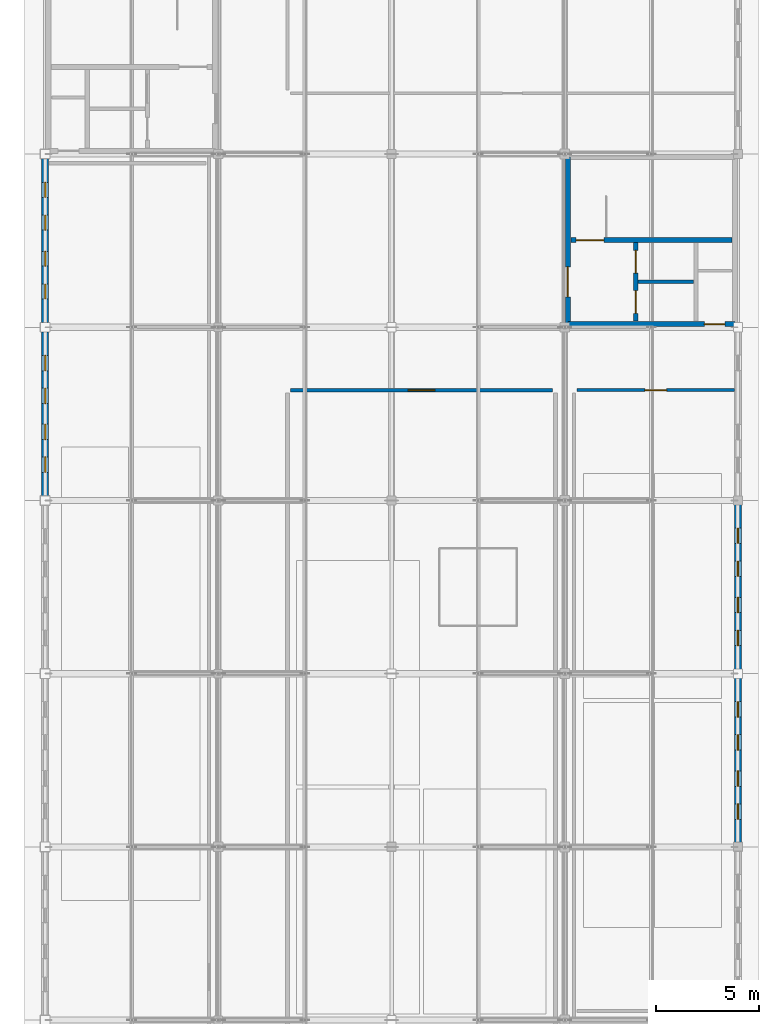
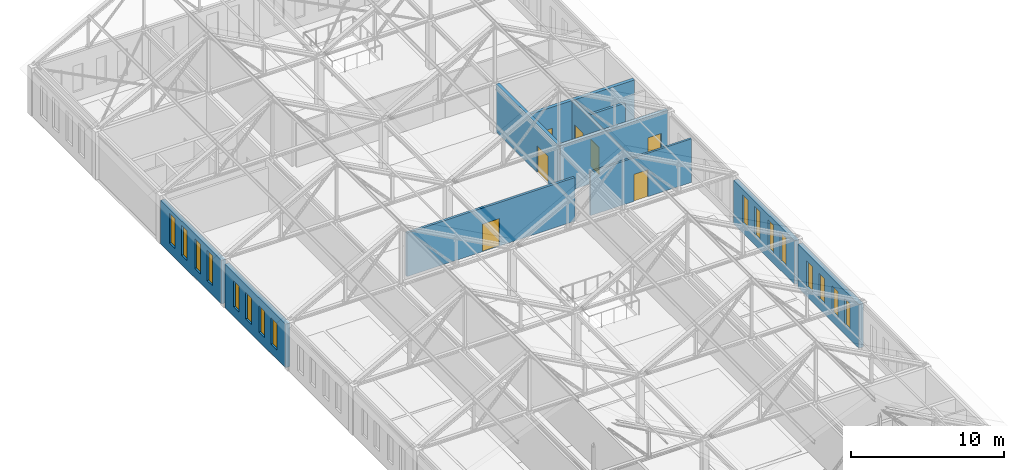
# One storey, part 33 of 36: 16 windows, 11 walls, 7 doors, 23 openings.
"""IFC4 building model written with IfcOpenShell, lengths in metres."""

from ifc_helpers import new_model, si_unit, direction, frame, frame_2d, origin, place, context, subcontext, project, spatial, rectangle, extrude, material, layer, layer_set, type_object, element, fill, save


model = new_model("IFC4")

# Units and contexts
model_context = context("Model", 3, precision=1e-05, world=origin(), true_north=direction((0.0, 1.0)))
body_context = subcontext(model_context, "Body", "Model", "MODEL_VIEW")
ifc_project = project(units=[si_unit("LENGTHUNIT", "METRE"), si_unit("AREAUNIT", "SQUARE_METRE"), si_unit("VOLUMEUNIT", "CUBIC_METRE"), si_unit("PLANEANGLEUNIT", "RADIAN"), si_unit("MASSUNIT", "GRAM", prefix="KILO")], contexts=[model_context])

# Site, building, storey
site_placement = place(None, origin())
site = spatial("IfcSite", under=ifc_project, at=site_placement, CompositionType="ELEMENT")
building_placement = place(site_placement, origin())
building = spatial("IfcBuilding", under=site, at=building_placement, Name="Kveldsbrygga Polytechnic", CompositionType="ELEMENT")
storey_placement = place(building_placement, frame((0.0, 0.0, 26.179931640625)))
storey = spatial("IfcBuildingStorey", under=building, at=storey_placement, Name="L06", CompositionType="ELEMENT", Elevation=26.179931640625)

# Wall, openings, windows
ifc_material_1 = material(Name="Fired clay brick masonry M10", Category="masonry")
ifc_layer_1 = layer(ifc_material_1, 0.340087890625)
ifc_layer_set_1 = layer_set([ifc_layer_1], Name="Fired clay brick masonry M10")
wall_type_1 = type_object("IfcWallType", Name="EW-BRICK-340", PredefinedType="SOLIDWALL", material=ifc_layer_set_1)
wall_1_placement = place(storey_placement, frame((126.0, 67.425048828125, 0.0), z_axis=(0.0, 0.0, 1.0), x_axis=(0.0, 1.0, 0.0)))
wall_1 = element("IfcWall", 1, at=wall_1_placement, inside=storey, type_object=wall_type_1, Name="Exterior Brick Wall EW-L06-Y-15-08", PredefinedType="SOLIDWALL", context=body_context, shape_type="SweptSolid", body=[
    extrude(rectangle(XDim=7.949951171875, YDim=0.340087890625, at=frame_2d((3.97509765625, 0.0))), origin(), (0.0, 0.0, 1.0), 3.47998046875),
])
opening_1_placement = place(wall_1_placement, frame((1.135498046875, 0.0, 0.75)))
opening_1 = element("IfcOpeningElement", 2, at=opening_1_placement, cuts=wall_1, Name="Opening W-27", PredefinedType="OPENING", context=body_context, shape_type="SweptSolid", body=[
    extrude(rectangle(XDim=0.75, YDim=2.10009765625, at=frame_2d((0.375, 1.050048828125))), frame((0.0, 0.18017578125, 0.0), z_axis=(0.0, -1.0, 0.0), x_axis=(1.0, 0.0, 0.0)), (0.0, 0.0, 1.0), 0.360107421875),
])
opening_2_placement = place(wall_1_placement, frame((2.7255859375, 0.0, 0.75)))
opening_2 = element("IfcOpeningElement", 3, at=opening_2_placement, cuts=wall_1, Name="Opening W-27", PredefinedType="OPENING", context=body_context, shape_type="SweptSolid", body=[
    extrude(rectangle(XDim=0.75, YDim=2.10009765625, at=frame_2d((0.375, 1.050048828125))), frame((0.0, 0.18017578125, 0.0), z_axis=(0.0, -1.0, 0.0), x_axis=(1.0, 0.0, 0.0)), (0.0, 0.0, 1.0), 0.360107421875),
])
opening_3_placement = place(wall_1_placement, frame((4.474609375, 0.0, 0.75)))
opening_3 = element("IfcOpeningElement", 4, at=opening_3_placement, cuts=wall_1, Name="Opening W-27", PredefinedType="OPENING", context=body_context, shape_type="SweptSolid", body=[
    extrude(rectangle(XDim=0.75, YDim=2.10009765625, at=frame_2d((0.375, 1.050048828125))), frame((0.0, 0.18017578125, 0.0), z_axis=(0.0, -1.0, 0.0), x_axis=(1.0, 0.0, 0.0)), (0.0, 0.0, 1.0), 0.360107421875),
])
opening_4_placement = place(wall_1_placement, frame((6.064453125, 0.0, 0.75)))
opening_4 = element("IfcOpeningElement", 5, at=opening_4_placement, cuts=wall_1, Name="Opening W-27", PredefinedType="OPENING", context=body_context, shape_type="SweptSolid", body=[
    extrude(rectangle(XDim=0.75, YDim=2.10009765625, at=frame_2d((0.375, 1.050048828125))), frame((0.0, 0.18017578125, 0.0), z_axis=(0.0, -1.0, 0.0), x_axis=(1.0, 0.0, 0.0)), (0.0, 0.0, 1.0), 0.360107421875),
])
ifc_material_2 = material(Name="Insulated triple low-E glass", Category="glass")
window_type_1 = type_object("IfcWindowType", Name="WN-ATTIC-075x210", PartitioningType="DOUBLE_PANEL_VERTICAL", PredefinedType="WINDOW", material=ifc_material_2)
window_1_placement = place(opening_1_placement, origin())
window_1 = element("IfcWindow", 6, at=window_1_placement, inside=storey, type_object=window_type_1, Name="Gothic Lancet Window WIN-L06-Y-15-08-1", OverallHeight=2.10009765625, OverallWidth=0.75, PartitioningType="DOUBLE_PANEL_VERTICAL", PredefinedType="WINDOW", context=body_context, shape_type="SweptSolid", body=[
    extrude(rectangle(XDim=0.75, YDim=2.10009765625, at=frame_2d((0.375, 1.050048828125))), frame((0.0, 0.030029296875, 0.0), z_axis=(0.0, -1.0, 0.0), x_axis=(1.0, 0.0, 0.0)), (0.0, 0.0, 1.0), 0.06005859375),
])
fill(opening_1, window_1)
window_2_placement = place(opening_2_placement, origin())
window_2 = element("IfcWindow", 7, at=window_2_placement, inside=storey, type_object=window_type_1, Name="Gothic Lancet Window WIN-L06-Y-15-08-2", OverallHeight=2.10009765625, OverallWidth=0.75, PartitioningType="DOUBLE_PANEL_VERTICAL", PredefinedType="WINDOW", context=body_context, shape_type="SweptSolid", body=[
    extrude(rectangle(XDim=0.75, YDim=2.10009765625, at=frame_2d((0.375, 1.050048828125))), frame((0.0, 0.030029296875, 0.0), z_axis=(0.0, -1.0, 0.0), x_axis=(1.0, 0.0, 0.0)), (0.0, 0.0, 1.0), 0.06005859375),
])
fill(opening_2, window_2)
window_3_placement = place(opening_3_placement, origin())
window_3 = element("IfcWindow", 8, at=window_3_placement, inside=storey, type_object=window_type_1, Name="Gothic Lancet Window WIN-L06-Y-15-08-3", OverallHeight=2.10009765625, OverallWidth=0.75, PartitioningType="DOUBLE_PANEL_VERTICAL", PredefinedType="WINDOW", context=body_context, shape_type="SweptSolid", body=[
    extrude(rectangle(XDim=0.75, YDim=2.10009765625, at=frame_2d((0.375, 1.050048828125))), frame((0.0, 0.030029296875, 0.0), z_axis=(0.0, -1.0, 0.0), x_axis=(1.0, 0.0, 0.0)), (0.0, 0.0, 1.0), 0.06005859375),
])
fill(opening_3, window_3)
window_4_placement = place(opening_4_placement, origin())
window_4 = element("IfcWindow", 9, at=window_4_placement, inside=storey, type_object=window_type_1, Name="Gothic Lancet Window WIN-L06-Y-15-08-4", OverallHeight=2.10009765625, OverallWidth=0.75, PartitioningType="DOUBLE_PANEL_VERTICAL", PredefinedType="WINDOW", context=body_context, shape_type="SweptSolid", body=[
    extrude(rectangle(XDim=0.75, YDim=2.10009765625, at=frame_2d((0.375, 1.050048828125))), frame((0.0, 0.030029296875, 0.0), z_axis=(0.0, -1.0, 0.0), x_axis=(1.0, 0.0, 0.0)), (0.0, 0.0, 1.0), 0.06005859375),
])
fill(opening_4, window_4)

wall_2_placement = place(storey_placement, frame((126.0, 75.824951171875, 0.0), z_axis=(0.0, 0.0, 1.0), x_axis=(0.0, 1.0, 0.0)))
wall_2 = element("IfcWall", 10, at=wall_2_placement, inside=storey, type_object=wall_type_1, Name="Exterior Brick Wall EW-L06-Y-15-09", PredefinedType="SOLIDWALL", context=body_context, shape_type="SweptSolid", body=[
    extrude(rectangle(XDim=7.949951171875, YDim=0.340087890625, at=frame_2d((3.97509765625, 0.0))), origin(), (0.0, 0.0, 1.0), 3.47998046875),
])
opening_5_placement = place(wall_2_placement, frame((1.150390625, 0.0, 0.75)))
opening_5 = element("IfcOpeningElement", 11, at=opening_5_placement, cuts=wall_2, Name="Opening W-02", PredefinedType="OPENING", context=body_context, shape_type="SweptSolid", body=[
    extrude(rectangle(XDim=0.719970703125, YDim=2.39990234375, at=frame_2d((0.35986328125, 1.199951171875))), frame((0.0, 0.18017578125, 0.0), z_axis=(0.0, -1.0, 0.0), x_axis=(1.0, 0.0, 0.0)), (0.0, 0.0, 1.0), 0.360107421875),
])
opening_6_placement = place(wall_2_placement, frame((2.740478515625, 0.0, 0.75)))
opening_6 = element("IfcOpeningElement", 12, at=opening_6_placement, cuts=wall_2, Name="Opening W-02", PredefinedType="OPENING", context=body_context, shape_type="SweptSolid", body=[
    extrude(rectangle(XDim=0.719970703125, YDim=2.39990234375, at=frame_2d((0.35986328125, 1.199951171875))), frame((0.0, 0.18017578125, 0.0), z_axis=(0.0, -1.0, 0.0), x_axis=(1.0, 0.0, 0.0)), (0.0, 0.0, 1.0), 0.360107421875),
])
opening_7_placement = place(wall_2_placement, frame((4.489501953125, 0.0, 0.75)))
opening_7 = element("IfcOpeningElement", 13, at=opening_7_placement, cuts=wall_2, Name="Opening W-02", PredefinedType="OPENING", context=body_context, shape_type="SweptSolid", body=[
    extrude(rectangle(XDim=0.719970703125, YDim=2.39990234375, at=frame_2d((0.35986328125, 1.199951171875))), frame((0.0, 0.18017578125, 0.0), z_axis=(0.0, -1.0, 0.0), x_axis=(1.0, 0.0, 0.0)), (0.0, 0.0, 1.0), 0.360107421875),
])
opening_8_placement = place(wall_2_placement, frame((6.07958984375, 0.0, 0.75)))
opening_8 = element("IfcOpeningElement", 14, at=opening_8_placement, cuts=wall_2, Name="Opening W-02", PredefinedType="OPENING", context=body_context, shape_type="SweptSolid", body=[
    extrude(rectangle(XDim=0.719970703125, YDim=2.39990234375, at=frame_2d((0.35986328125, 1.199951171875))), frame((0.0, 0.18017578125, 0.0), z_axis=(0.0, -1.0, 0.0), x_axis=(1.0, 0.0, 0.0)), (0.0, 0.0, 1.0), 0.360107421875),
])
window_type_2 = type_object("IfcWindowType", Name="WN-LANC-072x240", PartitioningType="DOUBLE_PANEL_VERTICAL", PredefinedType="WINDOW", material=ifc_material_2)
window_5_placement = place(opening_5_placement, origin())
window_5 = element("IfcWindow", 15, at=window_5_placement, inside=storey, type_object=window_type_2, Name="Gothic Lancet Window WIN-L06-Y-15-09-1", OverallHeight=2.39990234375, OverallWidth=0.719970703125, PartitioningType="DOUBLE_PANEL_VERTICAL", PredefinedType="WINDOW", context=body_context, shape_type="SweptSolid", body=[
    extrude(rectangle(XDim=0.719970703125, YDim=2.39990234375, at=frame_2d((0.35986328125, 1.199951171875))), frame((0.0, 0.030029296875, 0.0), z_axis=(0.0, -1.0, 0.0), x_axis=(1.0, 0.0, 0.0)), (0.0, 0.0, 1.0), 0.06005859375),
])
fill(opening_5, window_5)
window_6_placement = place(opening_6_placement, origin())
window_6 = element("IfcWindow", 16, at=window_6_placement, inside=storey, type_object=window_type_2, Name="Gothic Lancet Window WIN-L06-Y-15-09-2", OverallHeight=2.39990234375, OverallWidth=0.719970703125, PartitioningType="DOUBLE_PANEL_VERTICAL", PredefinedType="WINDOW", context=body_context, shape_type="SweptSolid", body=[
    extrude(rectangle(XDim=0.719970703125, YDim=2.39990234375, at=frame_2d((0.35986328125, 1.199951171875))), frame((0.0, 0.030029296875, 0.0), z_axis=(0.0, -1.0, 0.0), x_axis=(1.0, 0.0, 0.0)), (0.0, 0.0, 1.0), 0.06005859375),
])
fill(opening_6, window_6)
window_7_placement = place(opening_7_placement, origin())
window_7 = element("IfcWindow", 17, at=window_7_placement, inside=storey, type_object=window_type_2, Name="Gothic Lancet Window WIN-L06-Y-15-09-3", OverallHeight=2.39990234375, OverallWidth=0.719970703125, PartitioningType="DOUBLE_PANEL_VERTICAL", PredefinedType="WINDOW", context=body_context, shape_type="SweptSolid", body=[
    extrude(rectangle(XDim=0.719970703125, YDim=2.39990234375, at=frame_2d((0.35986328125, 1.199951171875))), frame((0.0, 0.030029296875, 0.0), z_axis=(0.0, -1.0, 0.0), x_axis=(1.0, 0.0, 0.0)), (0.0, 0.0, 1.0), 0.06005859375),
])
fill(opening_7, window_7)
window_8_placement = place(opening_8_placement, origin())
window_8 = element("IfcWindow", 18, at=window_8_placement, inside=storey, type_object=window_type_2, Name="Gothic Lancet Window WIN-L06-Y-15-09-4", OverallHeight=2.39990234375, OverallWidth=0.719970703125, PartitioningType="DOUBLE_PANEL_VERTICAL", PredefinedType="WINDOW", context=body_context, shape_type="SweptSolid", body=[
    extrude(rectangle(XDim=0.719970703125, YDim=2.39990234375, at=frame_2d((0.35986328125, 1.199951171875))), frame((0.0, 0.030029296875, 0.0), z_axis=(0.0, -1.0, 0.0), x_axis=(1.0, 0.0, 0.0)), (0.0, 0.0, 1.0), 0.06005859375),
])
fill(opening_8, window_8)

wall_3_placement = place(storey_placement, frame((159.60009765625, 50.594970703125, 0.0), z_axis=(0.0, 0.0, 1.0), x_axis=(0.0, 1.0, 0.0)))
wall_3 = element("IfcWall", 19, at=wall_3_placement, inside=storey, type_object=wall_type_1, Name="Exterior Brick Wall EW-L06-Y-19-06", PredefinedType="SOLIDWALL", context=body_context, shape_type="SweptSolid", body=[
    extrude(rectangle(XDim=7.9951171875, YDim=0.340087890625, at=frame_2d((3.99755859375, 0.0))), origin(), (0.0, 0.0, 1.0), 3.47998046875),
])
opening_9_placement = place(wall_3_placement, frame((1.14404296875, 0.0, 0.75)))
opening_9 = element("IfcOpeningElement", 20, at=opening_9_placement, cuts=wall_3, Name="Opening W-27", PredefinedType="OPENING", context=body_context, shape_type="SweptSolid", body=[
    extrude(rectangle(XDim=0.75, YDim=2.10009765625, at=frame_2d((0.375, 1.050048828125))), frame((0.0, 0.18017578125, 0.0), z_axis=(0.0, -1.0, 0.0), x_axis=(1.0, 0.0, 0.0)), (0.0, 0.0, 1.0), 0.360107421875),
])
opening_10_placement = place(wall_3_placement, frame((2.7431640625, 0.0, 0.75)))
opening_10 = element("IfcOpeningElement", 21, at=opening_10_placement, cuts=wall_3, Name="Opening W-27", PredefinedType="OPENING", context=body_context, shape_type="SweptSolid", body=[
    extrude(rectangle(XDim=0.75, YDim=2.10009765625, at=frame_2d((0.375, 1.050048828125))), frame((0.0, 0.18017578125, 0.0), z_axis=(0.0, -1.0, 0.0), x_axis=(1.0, 0.0, 0.0)), (0.0, 0.0, 1.0), 0.360107421875),
])
opening_11_placement = place(wall_3_placement, frame((4.501953125, 0.0, 0.75)))
opening_11 = element("IfcOpeningElement", 22, at=opening_11_placement, cuts=wall_3, Name="Opening W-27", PredefinedType="OPENING", context=body_context, shape_type="SweptSolid", body=[
    extrude(rectangle(XDim=0.75, YDim=2.10009765625, at=frame_2d((0.375, 1.050048828125))), frame((0.0, 0.18017578125, 0.0), z_axis=(0.0, -1.0, 0.0), x_axis=(1.0, 0.0, 0.0)), (0.0, 0.0, 1.0), 0.360107421875),
])
opening_12_placement = place(wall_3_placement, frame((6.100830078125, 0.0, 0.75)))
opening_12 = element("IfcOpeningElement", 23, at=opening_12_placement, cuts=wall_3, Name="Opening W-27", PredefinedType="OPENING", context=body_context, shape_type="SweptSolid", body=[
    extrude(rectangle(XDim=0.75, YDim=2.10009765625, at=frame_2d((0.375, 1.050048828125))), frame((0.0, 0.18017578125, 0.0), z_axis=(0.0, -1.0, 0.0), x_axis=(1.0, 0.0, 0.0)), (0.0, 0.0, 1.0), 0.360107421875),
])
window_9_placement = place(opening_9_placement, origin())
window_9 = element("IfcWindow", 24, at=window_9_placement, inside=storey, type_object=window_type_1, Name="Gothic Lancet Window WIN-L06-Y-19-06-1", OverallHeight=2.10009765625, OverallWidth=0.75, PartitioningType="DOUBLE_PANEL_VERTICAL", PredefinedType="WINDOW", context=body_context, shape_type="SweptSolid", body=[
    extrude(rectangle(XDim=0.75, YDim=2.10009765625, at=frame_2d((0.375, 1.050048828125))), frame((0.0, 0.030029296875, 0.0), z_axis=(0.0, -1.0, 0.0), x_axis=(1.0, 0.0, 0.0)), (0.0, 0.0, 1.0), 0.06005859375),
])
fill(opening_9, window_9)
window_10_placement = place(opening_10_placement, origin())
window_10 = element("IfcWindow", 25, at=window_10_placement, inside=storey, type_object=window_type_1, Name="Gothic Lancet Window WIN-L06-Y-19-06-2", OverallHeight=2.10009765625, OverallWidth=0.75, PartitioningType="DOUBLE_PANEL_VERTICAL", PredefinedType="WINDOW", context=body_context, shape_type="SweptSolid", body=[
    extrude(rectangle(XDim=0.75, YDim=2.10009765625, at=frame_2d((0.375, 1.050048828125))), frame((0.0, 0.030029296875, 0.0), z_axis=(0.0, -1.0, 0.0), x_axis=(1.0, 0.0, 0.0)), (0.0, 0.0, 1.0), 0.06005859375),
])
fill(opening_10, window_10)
window_11_placement = place(opening_11_placement, origin())
window_11 = element("IfcWindow", 26, at=window_11_placement, inside=storey, type_object=window_type_1, Name="Gothic Lancet Window WIN-L06-Y-19-06-3", OverallHeight=2.10009765625, OverallWidth=0.75, PartitioningType="DOUBLE_PANEL_VERTICAL", PredefinedType="WINDOW", context=body_context, shape_type="SweptSolid", body=[
    extrude(rectangle(XDim=0.75, YDim=2.10009765625, at=frame_2d((0.375, 1.050048828125))), frame((0.0, 0.030029296875, 0.0), z_axis=(0.0, -1.0, 0.0), x_axis=(1.0, 0.0, 0.0)), (0.0, 0.0, 1.0), 0.06005859375),
])
fill(opening_11, window_11)
window_12_placement = place(opening_12_placement, origin())
window_12 = element("IfcWindow", 27, at=window_12_placement, inside=storey, type_object=window_type_1, Name="Gothic Lancet Window WIN-L06-Y-19-06-4", OverallHeight=2.10009765625, OverallWidth=0.75, PartitioningType="DOUBLE_PANEL_VERTICAL", PredefinedType="WINDOW", context=body_context, shape_type="SweptSolid", body=[
    extrude(rectangle(XDim=0.75, YDim=2.10009765625, at=frame_2d((0.375, 1.050048828125))), frame((0.0, 0.030029296875, 0.0), z_axis=(0.0, -1.0, 0.0), x_axis=(1.0, 0.0, 0.0)), (0.0, 0.0, 1.0), 0.06005859375),
])
fill(opening_12, window_12)

wall_4_placement = place(storey_placement, frame((159.60009765625, 59.010009765625, 0.0), z_axis=(0.0, 0.0, 1.0), x_axis=(0.0, 1.0, 0.0)))
wall_4 = element("IfcWall", 28, at=wall_4_placement, inside=storey, type_object=wall_type_1, Name="Exterior Brick Wall EW-L06-Y-19-07", PredefinedType="SOLIDWALL", context=body_context, shape_type="SweptSolid", body=[
    extrude(rectangle(XDim=7.994873046875, YDim=0.340087890625, at=frame_2d((3.99755859375, 0.0))), origin(), (0.0, 0.0, 1.0), 3.47998046875),
])
opening_13_placement = place(wall_4_placement, frame((1.149169921875, 0.0, 0.75)))
opening_13 = element("IfcOpeningElement", 29, at=opening_13_placement, cuts=wall_4, Name="Opening W-04", PredefinedType="OPENING", context=body_context, shape_type="SweptSolid", body=[
    extrude(rectangle(XDim=0.739990234375, YDim=2.300048828125, at=frame_2d((0.3701171875, 1.14990234375))), frame((0.0, 0.18017578125, 0.0), z_axis=(0.0, -1.0, 0.0), x_axis=(1.0, 0.0, 0.0)), (0.0, 0.0, 1.0), 0.360107421875),
])
opening_14_placement = place(wall_4_placement, frame((2.748046875, 0.0, 0.75)))
opening_14 = element("IfcOpeningElement", 30, at=opening_14_placement, cuts=wall_4, Name="Opening W-04", PredefinedType="OPENING", context=body_context, shape_type="SweptSolid", body=[
    extrude(rectangle(XDim=0.739990234375, YDim=2.300048828125, at=frame_2d((0.3701171875, 1.14990234375))), frame((0.0, 0.18017578125, 0.0), z_axis=(0.0, -1.0, 0.0), x_axis=(1.0, 0.0, 0.0)), (0.0, 0.0, 1.0), 0.360107421875),
])
opening_15_placement = place(wall_4_placement, frame((4.5068359375, 0.0, 0.75)))
opening_15 = element("IfcOpeningElement", 31, at=opening_15_placement, cuts=wall_4, Name="Opening W-04", PredefinedType="OPENING", context=body_context, shape_type="SweptSolid", body=[
    extrude(rectangle(XDim=0.739990234375, YDim=2.300048828125, at=frame_2d((0.3701171875, 1.14990234375))), frame((0.0, 0.18017578125, 0.0), z_axis=(0.0, -1.0, 0.0), x_axis=(1.0, 0.0, 0.0)), (0.0, 0.0, 1.0), 0.360107421875),
])
opening_16_placement = place(wall_4_placement, frame((6.10595703125, 0.0, 0.75)))
opening_16 = element("IfcOpeningElement", 32, at=opening_16_placement, cuts=wall_4, Name="Opening W-04", PredefinedType="OPENING", context=body_context, shape_type="SweptSolid", body=[
    extrude(rectangle(XDim=0.739990234375, YDim=2.300048828125, at=frame_2d((0.3701171875, 1.14990234375))), frame((0.0, 0.18017578125, 0.0), z_axis=(0.0, -1.0, 0.0), x_axis=(1.0, 0.0, 0.0)), (0.0, 0.0, 1.0), 0.360107421875),
])
window_type_3 = type_object("IfcWindowType", Name="WN-LANC-074x230", PartitioningType="DOUBLE_PANEL_VERTICAL", PredefinedType="WINDOW", material=ifc_material_2)
window_13_placement = place(opening_13_placement, origin())
window_13 = element("IfcWindow", 33, at=window_13_placement, inside=storey, type_object=window_type_3, Name="Gothic Lancet Window WIN-L06-Y-19-07-1", OverallHeight=2.300048828125, OverallWidth=0.739990234375, PartitioningType="DOUBLE_PANEL_VERTICAL", PredefinedType="WINDOW", context=body_context, shape_type="SweptSolid", body=[
    extrude(rectangle(XDim=0.739990234375, YDim=2.300048828125, at=frame_2d((0.3701171875, 1.14990234375))), frame((0.0, 0.030029296875, 0.0), z_axis=(0.0, -1.0, 0.0), x_axis=(1.0, 0.0, 0.0)), (0.0, 0.0, 1.0), 0.06005859375),
])
fill(opening_13, window_13)
window_14_placement = place(opening_14_placement, origin())
window_14 = element("IfcWindow", 34, at=window_14_placement, inside=storey, type_object=window_type_3, Name="Gothic Lancet Window WIN-L06-Y-19-07-2", OverallHeight=2.300048828125, OverallWidth=0.739990234375, PartitioningType="DOUBLE_PANEL_VERTICAL", PredefinedType="WINDOW", context=body_context, shape_type="SweptSolid", body=[
    extrude(rectangle(XDim=0.739990234375, YDim=2.300048828125, at=frame_2d((0.3701171875, 1.14990234375))), frame((0.0, 0.030029296875, 0.0), z_axis=(0.0, -1.0, 0.0), x_axis=(1.0, 0.0, 0.0)), (0.0, 0.0, 1.0), 0.06005859375),
])
fill(opening_14, window_14)
window_15_placement = place(opening_15_placement, origin())
window_15 = element("IfcWindow", 35, at=window_15_placement, inside=storey, type_object=window_type_3, Name="Gothic Lancet Window WIN-L06-Y-19-07-3", OverallHeight=2.300048828125, OverallWidth=0.739990234375, PartitioningType="DOUBLE_PANEL_VERTICAL", PredefinedType="WINDOW", context=body_context, shape_type="SweptSolid", body=[
    extrude(rectangle(XDim=0.739990234375, YDim=2.300048828125, at=frame_2d((0.3701171875, 1.14990234375))), frame((0.0, 0.030029296875, 0.0), z_axis=(0.0, -1.0, 0.0), x_axis=(1.0, 0.0, 0.0)), (0.0, 0.0, 1.0), 0.06005859375),
])
fill(opening_15, window_15)
window_16_placement = place(opening_16_placement, origin())
window_16 = element("IfcWindow", 36, at=window_16_placement, inside=storey, type_object=window_type_3, Name="Gothic Lancet Window WIN-L06-Y-19-07-4", OverallHeight=2.300048828125, OverallWidth=0.739990234375, PartitioningType="DOUBLE_PANEL_VERTICAL", PredefinedType="WINDOW", context=body_context, shape_type="SweptSolid", body=[
    extrude(rectangle(XDim=0.739990234375, YDim=2.300048828125, at=frame_2d((0.3701171875, 1.14990234375))), frame((0.0, 0.030029296875, 0.0), z_axis=(0.0, -1.0, 0.0), x_axis=(1.0, 0.0, 0.0)), (0.0, 0.0, 1.0), 0.06005859375),
])
fill(opening_16, window_16)

# Wall, opening, door
ifc_material_3 = material(Name="Gypsum acoustic stud partition")
ifc_layer_2 = layer(ifc_material_3, 0.179931640625)
ifc_layer_set_2 = layer_set([ifc_layer_2], Name="Gypsum acoustic stud partition")
wall_type_2 = type_object("IfcWallType", Name="IW-CORR-180", PredefinedType="PARTITIONING", material=ifc_layer_set_2)
wall_5_placement = place(storey_placement, frame((137.89990234375, 72.550048828125, 0.0), z_axis=(0.0, 0.0, 1.0), x_axis=(1.0, 0.0, 0.0)))
wall_5 = element("IfcWall", 37, at=wall_5_placement, inside=storey, type_object=wall_type_2, Name="Partition Wall IW-SP-L06-CRIT-N1", PredefinedType="PARTITIONING", context=body_context, shape_type="SweptSolid", body=[
    extrude(rectangle(XDim=12.7001953125, YDim=0.179931640625, at=frame_2d((6.35009765625, 0.0))), origin(), (0.0, 0.0, 1.0), 3.47998046875),
])
opening_17_placement = place(wall_5_placement, frame((5.699951171875, 0.0, 0.0)))
opening_17 = element("IfcOpeningElement", 38, at=opening_17_placement, cuts=wall_5, Name="Opening ID-L06-101", PredefinedType="OPENING", context=body_context, shape_type="SweptSolid", body=[
    extrude(rectangle(XDim=1.300048828125, YDim=2.199951171875, at=frame_2d((0.64990234375, 1.10009765625))), frame((0.0, 0.10009765625, 0.0), z_axis=(0.0, -1.0, 0.0), x_axis=(1.0, 0.0, 0.0)), (0.0, 0.0, 1.0), 0.199951171875),
])
ifc_material_4 = material(Name="Acoustic oak timber", Category="wood")
door_type_1 = type_object("IfcDoorType", Name="ID-STD-130x220", OperationType="NOTDEFINED", PredefinedType="DOOR", material=ifc_material_4)
door_1_placement = place(opening_17_placement, origin())
door_1 = element("IfcDoor", 39, at=door_1_placement, inside=storey, type_object=door_type_1, Name="Interior Door ID-L06-101", OperationType="SINGLE_SWING_RIGHT", OverallHeight=2.199951171875, OverallWidth=1.300048828125, PredefinedType="DOOR", context=body_context, shape_type="SweptSolid", body=[
    extrude(rectangle(XDim=1.300048828125, YDim=2.199951171875, at=frame_2d((0.64990234375, 1.10009765625))), frame((0.0, 0.02490234375, 0.0), z_axis=(0.0, -1.0, 0.0), x_axis=(1.0, 0.0, 0.0)), (0.0, 0.0, 1.0), 0.050048828125),
])
fill(opening_17, door_1)

ifc_layer_3 = layer(ifc_material_3, 0.14990234375)
ifc_layer_set_3 = layer_set([ifc_layer_3], Name="Gypsum acoustic stud partition")
wall_type_3 = type_object("IfcWallType", Name="IW-SEM-150", PredefinedType="PARTITIONING", material=ifc_layer_set_3)
wall_6_placement = place(storey_placement, frame((151.800048828125, 72.550048828125, 0.0), z_axis=(0.0, 0.0, 1.0), x_axis=(1.0, 0.0, 0.0)))
wall_6 = element("IfcWall", 40, at=wall_6_placement, inside=storey, type_object=wall_type_3, Name="Partition Wall IW-SP-L06-SEM61-N1", PredefinedType="PARTITIONING", context=body_context, shape_type="SweptSolid", body=[
    extrude(rectangle(XDim=7.619873046875, YDim=0.14990234375, at=frame_2d((3.81005859375, 0.0))), origin(), (0.0, 0.0, 1.0), 3.47998046875),
])
opening_18_placement = place(wall_6_placement, frame((3.284912109375, 0.0, 0.0)))
opening_18 = element("IfcOpeningElement", 41, at=opening_18_placement, cuts=wall_6, Name="Opening ID-L06-102", PredefinedType="OPENING", context=body_context, shape_type="SweptSolid", body=[
    extrude(rectangle(XDim=1.050048828125, YDim=2.14990234375, at=frame_2d((0.52490234375, 1.074951171875))), frame((0.0, 0.0849609375, 0.0), z_axis=(0.0, -1.0, 0.0), x_axis=(1.0, 0.0, 0.0)), (0.0, 0.0, 1.0), 0.169921875),
])
door_type_2 = type_object("IfcDoorType", Name="ID-SEM-105x215", OperationType="NOTDEFINED", PredefinedType="DOOR", material=ifc_material_4)
door_2_placement = place(opening_18_placement, origin())
door_2 = element("IfcDoor", 42, at=door_2_placement, inside=storey, type_object=door_type_2, Name="Interior Door ID-L06-102", OperationType="SINGLE_SWING_LEFT", OverallHeight=2.14990234375, OverallWidth=1.050048828125, PredefinedType="DOOR", context=body_context, shape_type="SweptSolid", body=[
    extrude(rectangle(XDim=1.050048828125, YDim=2.14990234375, at=frame_2d((0.52490234375, 1.074951171875))), frame((0.0, 0.02490234375, 0.0), z_axis=(0.0, -1.0, 0.0), x_axis=(1.0, 0.0, 0.0)), (0.0, 0.0, 1.0), 0.050048828125),
])
fill(opening_18, door_2)

ifc_material_5 = material(Name="Concrete C45/55", Category="concrete")
ifc_layer_4 = layer(ifc_material_5, 0.25)
ifc_layer_set_4 = layer_set([ifc_layer_4], Name="Concrete C45/55")
wall_type_4 = type_object("IfcWallType", Name="WL-CORE-250", PredefinedType="SHEAR", material=ifc_layer_set_4)
wall_7_placement = place(storey_placement, frame((151.35009765625, 75.75, 0.0), z_axis=(0.0, 0.0, 1.0), x_axis=(1.0, 0.0, 0.0)))
wall_7 = element("IfcWall", 43, at=wall_7_placement, inside=storey, type_object=wall_type_4, Name="Core C4 Shear Wall C4-L06-SW-S", PredefinedType="SHEAR", context=body_context, shape_type="SweptSolid", body=[
    extrude(rectangle(XDim=8.099853515625, YDim=0.25, at=frame_2d((4.0498046875, 0.0))), origin(), (0.0, 0.0, 1.0), 3.840087890625),
])
opening_19_placement = place(wall_7_placement, frame((6.614990234375, 0.0, 0.0)))
opening_19 = element("IfcOpeningElement", 44, at=opening_19_placement, cuts=wall_7, Name="Opening ID-C4-L06-AWC", PredefinedType="OPENING", context=body_context, shape_type="SweptSolid", body=[
    extrude(rectangle(XDim=1.0, YDim=2.14990234375, at=frame_2d((0.5, 1.074951171875))), frame((0.0, 0.135009765625, 0.0), z_axis=(0.0, -1.0, 0.0), x_axis=(1.0, 0.0, 0.0)), (0.0, 0.0, 1.0), 0.27001953125),
])
door_type_3 = type_object("IfcDoorType", Name="ID-AWC-100x215", OperationType="NOTDEFINED", PredefinedType="DOOR", material=ifc_material_4)
door_3_placement = place(opening_19_placement, origin())
door_3 = element("IfcDoor", 45, at=door_3_placement, inside=storey, type_object=door_type_3, Name="Accessible WC Door ID-C4-L06-AWC", OperationType="SINGLE_SWING_RIGHT", OverallHeight=2.14990234375, OverallWidth=1.0, PredefinedType="DOOR", context=body_context, shape_type="SweptSolid", body=[
    extrude(rectangle(XDim=1.0, YDim=2.14990234375, at=frame_2d((0.5, 1.074951171875))), frame((0.0, 0.02490234375, 0.0), z_axis=(0.0, -1.0, 0.0), x_axis=(1.0, 0.0, 0.0)), (0.0, 0.0, 1.0), 0.050048828125),
])
fill(opening_19, door_3)

wall_8_placement = place(storey_placement, frame((151.35009765625, 75.75, 0.0), z_axis=(0.0, 0.0, 1.0), x_axis=(0.0, 1.0, 0.0)))
wall_8 = element("IfcWall", 46, at=wall_8_placement, inside=storey, type_object=wall_type_4, Name="Core C4 Shear Wall C4-L06-SW-W", PredefinedType="SHEAR", context=body_context, shape_type="SweptSolid", body=[
    extrude(rectangle(XDim=8.10009765625, YDim=0.25, at=frame_2d((4.050048828125, 0.0))), origin(), (0.0, 0.0, 1.0), 3.840087890625),
])
opening_20_placement = place(wall_8_placement, frame((1.324951171875, 0.0, 0.0)))
opening_20 = element("IfcOpeningElement", 47, at=opening_20_placement, cuts=wall_8, Name="Opening FD-C4-L06-LOB", PredefinedType="OPENING", context=body_context, shape_type="SweptSolid", body=[
    extrude(rectangle(XDim=1.449951171875, YDim=2.14990234375, at=frame_2d((0.72509765625, 1.074951171875))), frame((0.0, 0.135009765625, 0.0), z_axis=(0.0, -1.0, 0.0), x_axis=(1.0, 0.0, 0.0)), (0.0, 0.0, 1.0), 0.27001953125),
])
ifc_material_6 = material(Name="Powder-coated galvanised steel", Category="steel")
door_type_4 = type_object("IfcDoorType", Name="ID-LOBBY-145x215", OperationType="DOUBLE_DOOR_SINGLE_SWING", PredefinedType="DOOR", material=ifc_material_6)
door_4_placement = place(opening_20_placement, origin())
door_4 = element("IfcDoor", 48, at=door_4_placement, inside=storey, type_object=door_type_4, Name="Core Lobby Fire Door FD-C4-L06-LOB", OperationType="DOUBLE_DOOR_SINGLE_SWING", OverallHeight=2.14990234375, OverallWidth=1.449951171875, PredefinedType="DOOR", context=body_context, shape_type="SweptSolid", body=[
    extrude(rectangle(XDim=1.449951171875, YDim=2.14990234375, at=frame_2d((0.72509765625, 1.074951171875))), frame((0.0, 0.02490234375, 0.0), z_axis=(0.0, -1.0, 0.0), x_axis=(1.0, 0.0, 0.0)), (0.0, 0.0, 1.0), 0.050048828125),
])
fill(opening_20, door_4)

wall_9_placement = place(storey_placement, frame((151.5, 79.830078125, 0.0), z_axis=(0.0, 0.0, 1.0), x_axis=(1.0, 0.0, 0.0)))
wall_9 = element("IfcWall", 49, at=wall_9_placement, inside=storey, type_object=wall_type_4, Name="Core C4 Shear Wall C4-L06-W-DIV", PredefinedType="SHEAR", context=body_context, shape_type="SweptSolid", body=[
    extrude(rectangle(XDim=7.800048828125, YDim=0.25, at=frame_2d((3.89990234375, 0.0))), origin(), (0.0, 0.0, 1.0), 3.840087890625),
])
opening_21_placement = place(wall_9_placement, frame((0.25, 0.0, 0.0)))
opening_21 = element("IfcOpeningElement", 50, at=opening_21_placement, cuts=wall_9, Name="Opening FD-C4-L06-ST", PredefinedType="OPENING", context=body_context, shape_type="SweptSolid", body=[
    extrude(rectangle(XDim=1.35009765625, YDim=2.14990234375, at=frame_2d((0.675048828125, 1.074951171875))), frame((0.0, 0.135009765625, 0.0), z_axis=(0.0, -1.0, 0.0), x_axis=(1.0, 0.0, 0.0)), (0.0, 0.0, 1.0), 0.27001953125),
])
door_type_5 = type_object("IfcDoorType", Name="ID-STAIR-135x215", OperationType="NOTDEFINED", PredefinedType="DOOR", material=ifc_material_6)
door_5_placement = place(opening_21_placement, origin())
door_5 = element("IfcDoor", 51, at=door_5_placement, inside=storey, type_object=door_type_5, Name="Stair Fire Door FD-C4-L06-ST", OperationType="SINGLE_SWING_LEFT", OverallHeight=2.14990234375, OverallWidth=1.35009765625, PredefinedType="DOOR", context=body_context, shape_type="SweptSolid", body=[
    extrude(rectangle(XDim=1.35009765625, YDim=2.14990234375, at=frame_2d((0.675048828125, 1.074951171875))), frame((0.0, 0.02490234375, 0.0), z_axis=(0.0, -1.0, 0.0), x_axis=(1.0, 0.0, 0.0)), (0.0, 0.0, 1.0), 0.050048828125),
])
fill(opening_21, door_5)

# Wall
ifc_material_7 = material(Name="Concrete C35/45", Category="concrete")
ifc_layer_5 = layer(ifc_material_7, 0.179931640625)
ifc_layer_set_5 = layer_set([ifc_layer_5], Name="Concrete C35/45")
wall_type_5 = type_object("IfcWallType", Name="WL-SHFT-180", PredefinedType="SHEAR", material=ifc_layer_set_5)
wall_10_placement = place(storey_placement, frame((154.75, 77.800048828125, 0.0), z_axis=(0.0, 0.0, 1.0), x_axis=(1.0, 0.0, 0.0)))
element("IfcWall", 52, at=wall_10_placement, inside=storey, type_object=wall_type_5, Name="Lift Divider Wall C4-L06-W-LMID", PredefinedType="SHEAR", context=body_context, shape_type="SweptSolid", body=[
    extrude(rectangle(XDim=2.699951171875, YDim=0.179931640625, at=frame_2d((1.35009765625, 0.0))), origin(), (0.0, 0.0, 1.0), 3.840087890625),
])

# Wall, openings, doors
ifc_layer_6 = layer(ifc_material_7, 0.199951171875)
ifc_layer_set_6 = layer_set([ifc_layer_6], Name="Concrete C35/45")
wall_type_6 = type_object("IfcWallType", Name="WL-SHFT-200", PredefinedType="SHEAR", material=ifc_layer_set_6)
wall_11_placement = place(storey_placement, frame((154.639892578125, 75.89990234375, 0.0), z_axis=(0.0, 0.0, 1.0), x_axis=(0.0, 1.0, 0.0)))
wall_11 = element("IfcWall", 53, at=wall_11_placement, inside=storey, type_object=wall_type_6, Name="Lift Front Wall C4-L06-W-LFR", PredefinedType="SHEAR", context=body_context, shape_type="SweptSolid", body=[
    extrude(rectangle(XDim=3.800048828125, YDim=0.199951171875, at=frame_2d((1.89990234375, 0.0))), origin(), (0.0, 0.0, 1.0), 3.840087890625),
])
opening_22_placement = place(wall_11_placement, frame((0.375, 0.0, 0.0)))
opening_22 = element("IfcOpeningElement", 54, at=opening_22_placement, cuts=wall_11, Name="Opening LD-FL-2", PredefinedType="OPENING", context=body_context, shape_type="SweptSolid", body=[
    extrude(rectangle(XDim=1.10009765625, YDim=2.14990234375, at=frame_2d((0.550048828125, 1.074951171875))), frame((0.0, 0.10986328125, 0.0), z_axis=(0.0, -1.0, 0.0), x_axis=(1.0, 0.0, 0.0)), (0.0, 0.0, 1.0), 0.219970703125),
])
opening_23_placement = place(wall_11_placement, frame((2.324951171875, 0.0, 0.0)))
opening_23 = element("IfcOpeningElement", 55, at=opening_23_placement, cuts=wall_11, Name="Opening LD-LP-4", PredefinedType="OPENING", context=body_context, shape_type="SweptSolid", body=[
    extrude(rectangle(XDim=1.10009765625, YDim=2.14990234375, at=frame_2d((0.550048828125, 1.074951171875))), frame((0.0, 0.10986328125, 0.0), z_axis=(0.0, -1.0, 0.0), x_axis=(1.0, 0.0, 0.0)), (0.0, 0.0, 1.0), 0.219970703125),
])
ifc_material_8 = material(Name="Brushed stainless steel EN 1.4401", Category="steel")
door_type_6 = type_object("IfcDoorType", Name="LD-PAX-110x215", OperationType="SLIDING_TO_LEFT", PredefinedType="DOOR", material=ifc_material_8)
door_6_placement = place(opening_22_placement, origin())
door_6 = element("IfcDoor", 56, at=door_6_placement, inside=storey, type_object=door_type_6, Name="Lift Landing Sliding Door LD-FL-2-L06", OperationType="SLIDING_TO_LEFT", OverallHeight=2.14990234375, OverallWidth=1.10009765625, PredefinedType="DOOR", context=body_context, shape_type="SweptSolid", body=[
    extrude(rectangle(XDim=1.10009765625, YDim=2.14990234375, at=frame_2d((0.550048828125, 1.074951171875))), frame((0.0, 0.02490234375, 0.0), z_axis=(0.0, -1.0, 0.0), x_axis=(1.0, 0.0, 0.0)), (0.0, 0.0, 1.0), 0.050048828125),
])
fill(opening_22, door_6)
door_7_placement = place(opening_23_placement, origin())
door_7 = element("IfcDoor", 57, at=door_7_placement, inside=storey, type_object=door_type_6, Name="Lift Landing Sliding Door LD-LP-4-L06", OperationType="SLIDING_TO_LEFT", OverallHeight=2.14990234375, OverallWidth=1.10009765625, PredefinedType="DOOR", context=body_context, shape_type="SweptSolid", body=[
    extrude(rectangle(XDim=1.10009765625, YDim=2.14990234375, at=frame_2d((0.550048828125, 1.074951171875))), frame((0.0, 0.02490234375, 0.0), z_axis=(0.0, -1.0, 0.0), x_axis=(1.0, 0.0, 0.0)), (0.0, 0.0, 1.0), 0.050048828125),
])
fill(opening_23, door_7)

save(model, "model.ifc")
